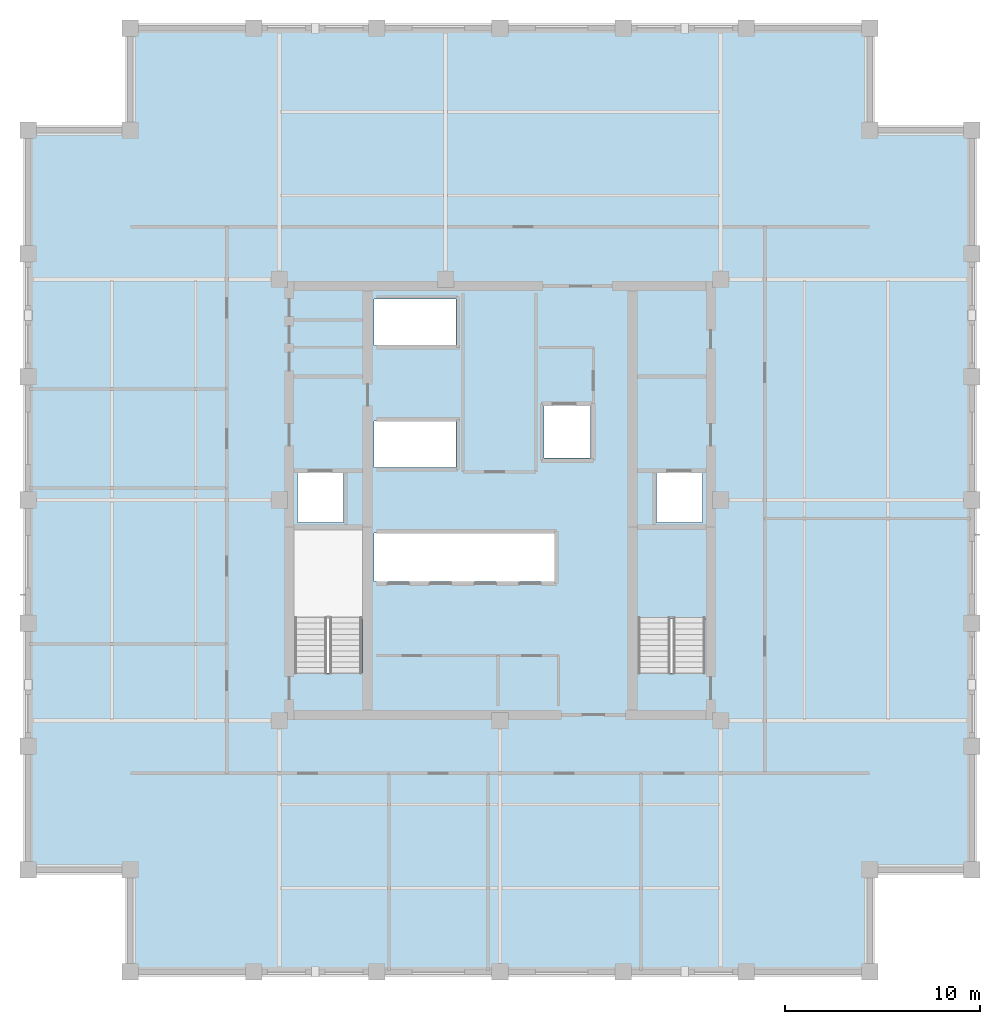
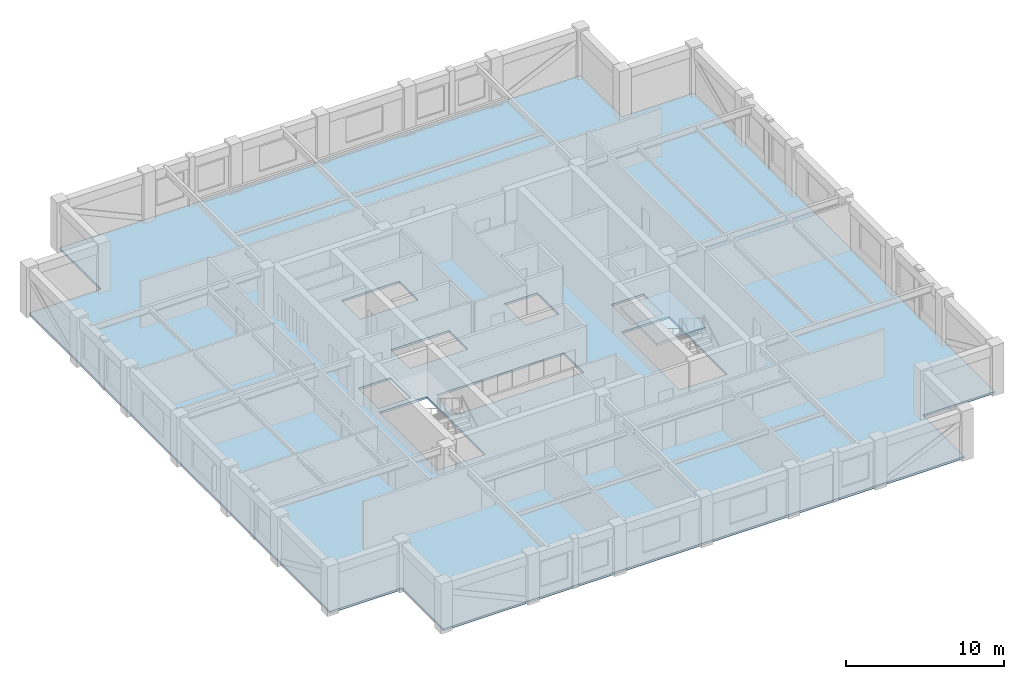
# One storey, part 3 of 9: 2 slabs, 1 element without a shape of its own.
"""IFC4 building model written with IfcOpenShell, lengths in metres."""

from ifc_helpers import new_model, si_unit, direction, frame, origin, place, context, subcontext, project, spatial, polyline, outline, extrude, material, layer, layer_set, type_object, element, aggregate, save


model = new_model("IFC4")

# Units and contexts
model_context = context("Model", 3, precision=1e-05, world=origin(), true_north=direction((0.0, 1.0)))
body_context = subcontext(model_context, "Body", "Model", "MODEL_VIEW")
ifc_project = project(units=[si_unit("LENGTHUNIT", "METRE"), si_unit("AREAUNIT", "SQUARE_METRE"), si_unit("VOLUMEUNIT", "CUBIC_METRE"), si_unit("PLANEANGLEUNIT", "RADIAN"), si_unit("MASSUNIT", "GRAM", prefix="KILO")], contexts=[model_context])

# Site, building, storey
site_placement = place(None, origin())
site = spatial("IfcSite", under=ifc_project, at=site_placement, CompositionType="ELEMENT")
building_placement = place(site_placement, origin())
building = spatial("IfcBuilding", under=site, at=building_placement, Name="Nhamokura Convention Tower", CompositionType="ELEMENT")
storey_placement = place(building_placement, frame((0.0, 0.0, 221.550048828125)))
storey = spatial("IfcBuildingStorey", under=building, at=storey_placement, Name="L54", CompositionType="ELEMENT", Elevation=221.550048828125)

# Slab
ifc_material_1 = material(Name="Concrete C40/50", Category="concrete")
ifc_layer_1 = layer(ifc_material_1, 0.1650390625)
ifc_layer_set_1 = layer_set([ifc_layer_1], Name="OfficeFloorSlab_165")
slab_type_1 = type_object("IfcSlabType", Name="OfficeFloorSlab_165", PredefinedType="FLOOR", material=ifc_layer_set_1)
slab_1_placement = place(storey_placement, frame((0.0, 0.0, -0.1650390625)))
element("IfcSlab", 1, at=slab_1_placement, inside=storey, type_object=slab_type_1, Name="L54 Structural Floor Slab", PredefinedType="FLOOR", context=body_context, shape_type="SweptSolid", body=[
    extrude(outline(polyline([(13.0, 7.75), (51.0, 7.75), (51.0, 13.0), (56.25, 13.0), (56.25, 51.0), (51.0, 51.0), (51.0, 56.25), (13.0, 56.25), (13.0, 51.0), (7.75, 51.0), (7.75, 13.0), (13.0, 13.0), (13.0, 7.75)]), holes=[polyline([(24.89990234375, 23.10009765625), (24.89990234375, 30.449951171875), (21.449951171875, 30.449951171875), (21.449951171875, 23.10009765625), (24.89990234375, 23.10009765625)]), polyline([(42.550048828125, 23.10009765625), (42.550048828125, 30.449951171875), (39.10009765625, 30.449951171875), (39.10009765625, 23.10009765625), (42.550048828125, 23.10009765625)]), polyline([(21.60009765625, 30.85009765625), (23.949951171875, 30.85009765625), (23.949951171875, 33.39990234375), (21.60009765625, 33.39990234375), (21.60009765625, 30.85009765625)]), polyline([(40.050048828125, 30.85009765625), (42.39990234375, 30.85009765625), (42.39990234375, 33.39990234375), (40.050048828125, 33.39990234375), (40.050048828125, 30.85009765625)]), polyline([(34.25, 34.14990234375), (36.64990234375, 34.14990234375), (36.64990234375, 36.85009765625), (34.25, 36.85009765625), (34.25, 34.14990234375)]), polyline([(25.52001953125, 27.800048828125), (34.800048828125, 27.800048828125), (34.800048828125, 30.300048828125), (25.52001953125, 30.300048828125), (25.52001953125, 27.800048828125)]), polyline([(25.52001953125, 33.679931640625), (29.75, 33.679931640625), (29.75, 36.050048828125), (25.52001953125, 36.050048828125), (25.52001953125, 33.679931640625)]), polyline([(25.52001953125, 39.949951171875), (29.75, 39.949951171875), (29.75, 42.320068359375), (25.52001953125, 42.320068359375), (25.52001953125, 39.949951171875)])]), origin(), (0.0, 0.0, 1.0), 0.1650390625),
])

# Stair, slab
ifc_material_2 = material(Name="Concrete C40/50", Category="concrete")
stair_type = type_object("IfcStairType", Name="TowerCoreStair_1650", PredefinedType="HALF_TURN_STAIR", material=ifc_material_2)
stair_placement = place(storey_placement, origin())
stair = element("IfcStair", 2, at=stair_placement, inside=storey, type_object=stair_type, Name="L54 East Core Smokeproof Stair ST-02", PredefinedType="HALF_TURN_STAIR")
ifc_material_3 = material(Name="Concrete C40/50", Category="concrete")
ifc_layer_2 = layer(ifc_material_3, 0.199951171875)
ifc_layer_set_2 = layer_set([ifc_layer_2], Name="StairLandingSlab_200")
slab_type_2 = type_object("IfcSlabType", Name="StairLandingSlab_200", PredefinedType="LANDING", material=ifc_layer_set_2)
slab_2_placement = place(storey_placement, frame((0.0, 0.0, 1.724853515625)))
slab_2 = element("IfcSlab", 3, at=slab_2_placement, type_object=slab_type_2, Name="ST-02 landing 1", PredefinedType="LANDING", context=body_context, shape_type="SweptSolid", body=[
    extrude(outline(polyline([(42.6298828125, 25.8701171875), (42.6298828125, 30.530029296875), (39.02001953125, 30.530029296875), (39.02001953125, 25.8701171875), (42.6298828125, 25.8701171875)])), origin(), (0.0, 0.0, 1.0), 0.2001953125),
])
aggregate(stair, [slab_2])

save(model, "model.ifc")
